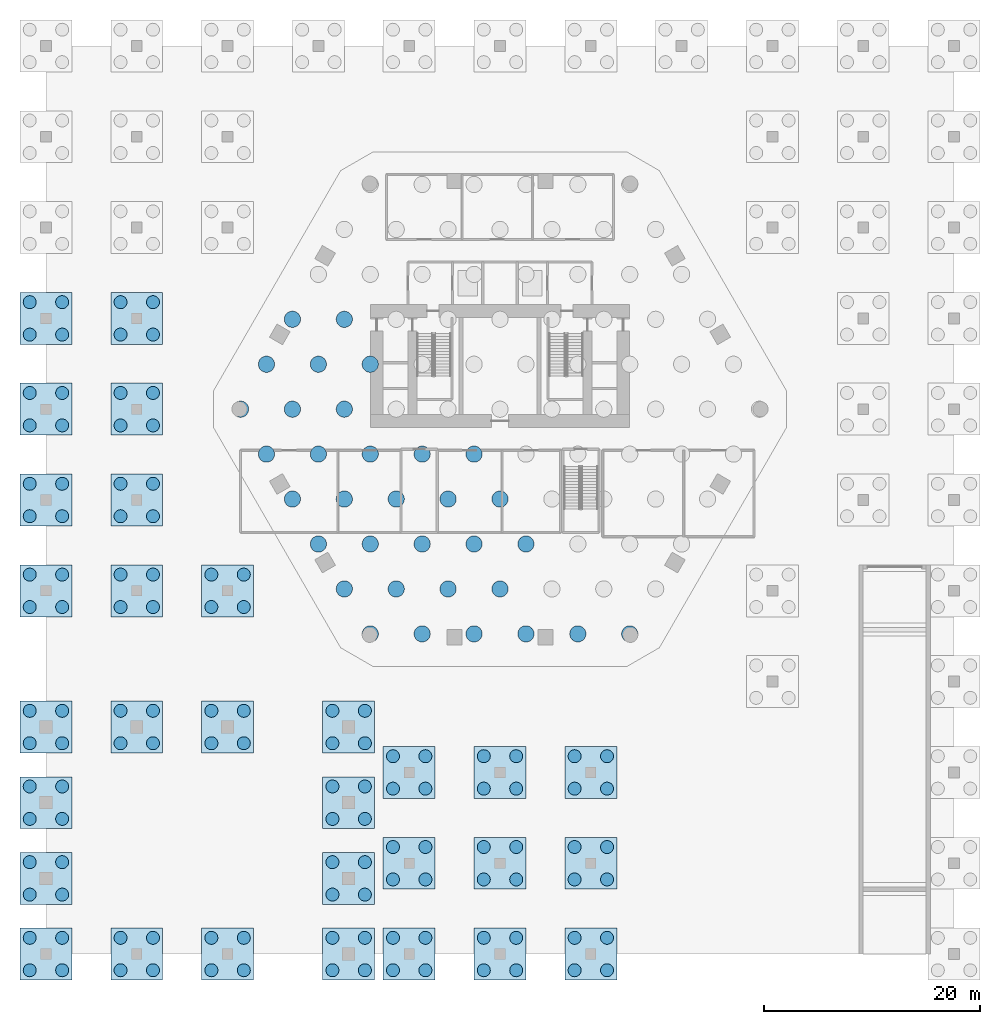
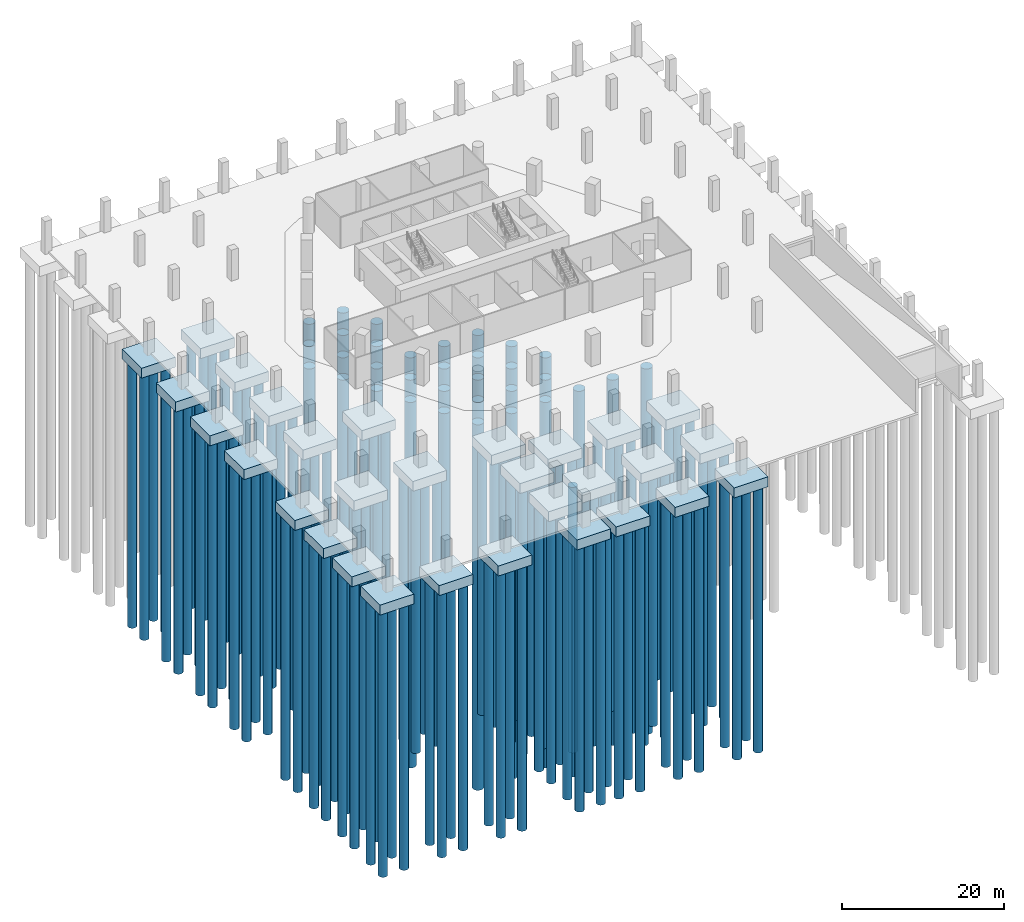
# One storey, part 1 of 7: 153 piles, 30 footings.
"""IFC4 building model written with IfcOpenShell, lengths in metres."""

import ifcopenshell
import ifcopenshell.guid

model = None  # the IFC model being written
_history = None  # IfcOwnerHistory: only IFC2X3 demands one
_inside = {}  # id of a spatial element -> (the spatial element, [elements in it])
_under = {}  # id of a project, library or spatial element -> (it, [spatial elements below it])
_declared = {}  # id of a project -> (the project, [libraries it declares])
_typed = {}  # id of a type object -> (the type object, [elements of that type])
_made_of = {}  # id of a material, layer set ... -> (it, [elements and type objects made of it])


def new_model(schema):
    """Start an empty IFC model of exactly this schema.

    Asked for "IFC4X3", IfcOpenShell would pick the latest addendum, in which some entities
    have other attributes; the version numbers below select the first issue.
    IFC2X3 requires an IfcOwnerHistory on every rooted entity: one is made here for all.
    """
    global model, _history
    if schema == "IFC4X3":
        model = ifcopenshell.file(schema_version=(4, 3, 0, 0))
    else:
        model = ifcopenshell.file(schema=schema)
    _inside.clear()
    _under.clear()
    _declared.clear()
    _typed.clear()
    _made_of.clear()
    _history = None
    if model.schema == "IFC2X3":
        org = make("IfcOrganization", Name="unknown")
        user = make(
            "IfcPersonAndOrganization",
            ThePerson=make("IfcPerson", FamilyName="unknown"),
            TheOrganization=org,
        )
        app = make(
            "IfcApplication",
            ApplicationDeveloper=org,
            Version="unknown",
            ApplicationFullName="unknown",
            ApplicationIdentifier="unknown",
        )
        _history = make(
            "IfcOwnerHistory",
            OwningUser=user,
            OwningApplication=app,
            ChangeAction="ADDED",
            CreationDate=0,
        )
    return model


def make(cls, **values):
    """One entity of the class cls with the attributes given. An attribute that is None is left unset."""
    return model.create_entity(
        cls, **{name: value for name, value in values.items() if value is not None}
    )


def rooted(cls, **values):
    """An entity with a GlobalId (a new one), such as an element, a storey or a relation."""
    return make(cls, GlobalId=ifcopenshell.guid.new(), OwnerHistory=_history, **values)


def si_unit(unit_type, name, prefix=None):
    """IfcSIUnit, for example si_unit("LENGTHUNIT", "METRE", prefix="MILLI")."""
    return make("IfcSIUnit", UnitType=unit_type, Prefix=prefix, Name=name)


def assignment(units):
    """IfcUnitAssignment: the units of a project."""
    return None if units is None else make("IfcUnitAssignment", Units=units)


def point(xyz):
    """IfcCartesianPoint."""
    return None if xyz is None else make("IfcCartesianPoint", Coordinates=xyz)


def direction(xyz):
    """IfcDirection."""
    return None if xyz is None else make("IfcDirection", DirectionRatios=xyz)


def frame(location, z_axis=None, x_axis=None):
    """IfcAxis2Placement3D, a coordinate frame: its origin and axes. An axis left out is left unset."""
    return make(
        "IfcAxis2Placement3D",
        Location=point(location),
        Axis=direction(z_axis),
        RefDirection=direction(x_axis),
    )


def frame_2d(location, x_axis=None):
    """IfcAxis2Placement2D, a coordinate frame in the plane: its origin and x axis."""
    return make(
        "IfcAxis2Placement2D", Location=point(location), RefDirection=direction(x_axis)
    )


def origin():
    """The frame at (0, 0, 0) with its axes left unset."""
    return frame((0.0, 0.0, 0.0))


def origin_2d():
    """The frame at (0, 0) in the plane with its x axis left unset."""
    return frame_2d((0.0, 0.0))


def place(relative_to, where):
    """IfcLocalPlacement: puts the frame where relative to a parent placement (None: the world)."""
    return make(
        "IfcLocalPlacement", PlacementRelTo=relative_to, RelativePlacement=where
    )


def context(
    kind, dimensions, precision=None, world=None, true_north=None, identifier=None
):
    """IfcGeometricRepresentationContext, for example the 3D "Model" context."""
    return make(
        "IfcGeometricRepresentationContext",
        ContextIdentifier=identifier,
        ContextType=kind,
        CoordinateSpaceDimension=dimensions,
        Precision=precision,
        WorldCoordinateSystem=world,
        TrueNorth=true_north,
    )


def subcontext(parent, identifier, kind, view, scale=None):
    """IfcGeometricRepresentationSubContext, for example "Body" below "Model"."""
    return make(
        "IfcGeometricRepresentationSubContext",
        ContextIdentifier=identifier,
        ContextType=kind,
        ParentContext=parent,
        TargetScale=scale,
        TargetView=view,
    )


def project(units=None, contexts=None):
    """IfcProject with its units and contexts."""
    return rooted(
        "IfcProject",
        Name="project",
        RepresentationContexts=contexts,
        UnitsInContext=assignment(units),
    )


def spatial(cls, under=None, at=None, **own):
    """A site, building, storey or space (cls), placed at a placement, below another one or the project."""
    s = rooted(cls, ObjectPlacement=at, **own)
    if under is not None:
        _under.setdefault(under.id(), (under, []))[1].append(s)
    return s


def polyline(points):
    """IfcPolyline through the points."""
    return make("IfcPolyline", Points=[point(p) for p in points])


def profile(cls, at=None, kind="AREA", **sizes):
    """A parametric profile (cls). Its sizes go by their IFC names, for example OverallWidth=200.0."""
    return make(cls, ProfileType=kind, Position=at, **sizes)


def circle(**sizes):
    """IfcCircleProfileDef."""
    return profile("IfcCircleProfileDef", **sizes)


def outline(outer, holes=None, kind="AREA"):
    """IfcArbitraryClosedProfileDef: a profile drawn as a closed curve; with holes, ...WithVoids."""
    if holes is None:
        return make("IfcArbitraryClosedProfileDef", ProfileType=kind, OuterCurve=outer)
    return make(
        "IfcArbitraryProfileDefWithVoids",
        ProfileType=kind,
        OuterCurve=outer,
        InnerCurves=holes,
    )


def extrude(swept, where, along, depth):
    """IfcExtrudedAreaSolid: the profile swept, set in the frame where, extruded along a direction by depth."""
    return make(
        "IfcExtrudedAreaSolid",
        SweptArea=swept,
        Position=where,
        ExtrudedDirection=direction(along),
        Depth=depth,
    )


def shape(context_of_items, identifier, shape_type, items):
    """IfcShapeRepresentation: the items that make up one representation, for example the "Body"."""
    return make(
        "IfcShapeRepresentation",
        ContextOfItems=context_of_items,
        RepresentationIdentifier=identifier,
        RepresentationType=shape_type,
        Items=items,
    )


def material(Name=None, Category=None):
    """IfcMaterial."""
    return make("IfcMaterial", Name=Name, Category=Category)


def material_profile(
    of_material, cross_section, Name=None, Category=None, Priority=None
):
    """IfcMaterialProfile: a cross section and its material."""
    return make(
        "IfcMaterialProfile",
        Name=Name,
        Material=of_material,
        Profile=cross_section,
        Priority=Priority,
        Category=Category,
    )


def profile_set(profiles, Name=None, composite=None):
    """IfcMaterialProfileSet."""
    return make(
        "IfcMaterialProfileSet",
        Name=Name,
        MaterialProfiles=profiles,
        CompositeProfile=composite,
    )


def made_of(thing, what):
    """Note that an element or type object is made of a material, layer set ...; save() writes the relation."""
    if what is not None:
        _made_of.setdefault(what.id(), (what, []))[1].append(thing)
    return thing


def type_object(cls, material=None, **own):
    """A type object (cls), such as IfcWallType, which elements share."""
    return made_of(rooted(cls, **own), material)


def element(
    cls,
    number,
    at=None,
    inside=None,
    cuts=None,
    type_object=None,
    material=None,
    context=None,
    identifier="Body",
    shape_type=None,
    held_by="IfcProductDefinitionShape",
    body=None,
    shapes=None,
    **own,
):
    """One element of the class cls, such as IfcWall. Its Tag is "e" and its number.

    at: its placement. inside: the storey or other place that contains it. cuts: it is an
    opening in that element (IfcRelVoidsElement). A single representation is given by context,
    identifier, shape_type and body (its items); several are given by shapes. held_by: the class
    of the entity that holds the representations. save() writes the other relations.
    """
    e = rooted(cls, Tag="e%d" % number, ObjectPlacement=at, **own)
    if body is not None:
        shapes = [shape(context, identifier, shape_type, body)]
    if shapes is not None:
        e.Representation = make(held_by, Representations=shapes)
    if inside is not None:
        _inside.setdefault(inside.id(), (inside, []))[1].append(e)
    if cuts is not None:
        rooted(
            "IfcRelVoidsElement", RelatingBuildingElement=cuts, RelatedOpeningElement=e
        )
    if type_object is not None:
        _typed.setdefault(type_object.id(), (type_object, []))[1].append(e)
    return made_of(e, material)


def aggregate(whole, parts):
    """IfcRelAggregates: a whole, such as a stair, and the parts it consists of."""
    return rooted("IfcRelAggregates", RelatingObject=whole, RelatedObjects=parts)


def save(model, path):
    """Write the relations noted so far, then the file.

    IfcRelAggregates (storeys below a building ...), IfcRelContainedInSpatialStructure (elements
    in a storey), IfcRelDefinesByType, IfcRelAssociatesMaterial and IfcRelDeclares: one each for
    every whole, place, type object, material and project.
    """
    for whole, parts in _under.values():
        aggregate(whole, parts)
    for where, things in _inside.values():
        rooted(
            "IfcRelContainedInSpatialStructure",
            RelatedElements=things,
            RelatingStructure=where,
        )
    for kind, things in _typed.values():
        rooted("IfcRelDefinesByType", RelatedObjects=things, RelatingType=kind)
    for what, things in _made_of.values():
        rooted("IfcRelAssociatesMaterial", RelatedObjects=things, RelatingMaterial=what)
    for by, libraries in _declared.values():
        rooted("IfcRelDeclares", RelatingContext=by, RelatedDefinitions=libraries)
    model.write(path)


model = new_model("IFC4")

# Units and contexts
model_context = context("Model", 3, precision=1e-05, world=origin(), true_north=direction((0.0, 1.0)))
body_context = subcontext(model_context, "Body", "Model", "MODEL_VIEW")
ifc_project = project(units=[si_unit("LENGTHUNIT", "METRE"), si_unit("AREAUNIT", "SQUARE_METRE"), si_unit("VOLUMEUNIT", "CUBIC_METRE"), si_unit("PLANEANGLEUNIT", "RADIAN"), si_unit("MASSUNIT", "GRAM", prefix="KILO")], contexts=[model_context])

# Site, building, storey
site_placement = place(None, origin())
site = spatial("IfcSite", under=ifc_project, at=site_placement, CompositionType="ELEMENT")
building_placement = place(site_placement, origin())
building = spatial("IfcBuilding", under=site, at=building_placement, Name="Ostrander Bayou Hotel Tower", CompositionType="ELEMENT")
storey_placement = place(building_placement, frame((0.0, 0.0, -5.0)))
storey = spatial("IfcBuildingStorey", under=building, at=storey_placement, Name="B1", CompositionType="ELEMENT", Elevation=-5.0)

# Piles
ifc_material_1 = material(Name="Concrete f'c 45 MPa", Category="concrete")
ifc_material_profile_1 = material_profile(ifc_material_1, circle(Radius=0.75, at=origin_2d()))
ifc_profile_set_1 = profile_set([ifc_material_profile_1], Name="Concrete f'c 45 MPa")
pile_type_1 = type_object("IfcPileType", Name="BP1 bored pile 1500 mm f'c 45 MPa", PredefinedType="BORED", material=ifc_profile_set_1)
for number, where, z_axis, x_axis, name in (
    (1, (-12.0, -20.784912109375, -3.39990234375), (0.0, 0.0, -1.0), (1.0, 0.0, 0.0), "BP1 pile R001"),
    (2, (-7.199951171875, -20.784912109375, -3.39990234375), (0.0, 0.0, -1.0), (1.0, 0.0, 0.0), "BP1 pile R002"),
    (3, (-2.39990234375, -20.784912109375, -3.39990234375), (0.0, 0.0, -1.0), (1.0, 0.0, 0.0), "BP1 pile R003"),
    (4, (2.39990234375, -20.784912109375, -3.39990234375), (0.0, 0.0, -1.0), (1.0, 0.0, 0.0), "BP1 pile R004"),
    (5, (7.199951171875, -20.784912109375, -3.39990234375), (0.0, 0.0, -1.0), (1.0, 0.0, 0.0), "BP1 pile R005"),
    (6, (12.0, -20.784912109375, -3.39990234375), (0.0, 0.0, -1.0), (1.0, 0.0, 0.0), "BP1 pile R006"),
    (7, (-14.39990234375, -16.6279296875, -3.39990234375), (0.0, 0.0, -1.0), (1.0, 0.0, 0.0), "BP1 pile R007"),
    (8, (-9.60009765625, -16.6279296875, -3.39990234375), (0.0, 0.0, -1.0), (1.0, 0.0, 0.0), "BP1 pile R008"),
    (9, (-4.800048828125, -16.6279296875, -3.39990234375), (0.0, 0.0, -1.0), (1.0, 0.0, 0.0), "BP1 pile R009"),
    (10, (0.0, -16.6279296875, -3.39990234375), (0.0, 0.0, -1.0), (1.0, 0.0, 0.0), "BP1 pile R010"),
    (11, (-16.800048828125, -12.470947265625, -3.39990234375), (0.0, 0.0, -1.0), (1.0, 0.0, 0.0), "BP1 pile R014"),
    (12, (-12.0, -12.470947265625, -3.39990234375), (0.0, 0.0, -1.0), (1.0, 0.0, 0.0), "BP1 pile R015"),
    (13, (-7.199951171875, -12.470947265625, -3.39990234375), (0.0, 0.0, -1.0), (1.0, 0.0, 0.0), "BP1 pile R016"),
    (14, (-2.39990234375, -12.470947265625, -3.39990234375), (0.0, 0.0, -1.0), (1.0, 0.0, 0.0), "BP1 pile R017"),
    (15, (2.39990234375, -12.470947265625, -3.39990234375), (0.0, 0.0, -1.0), (1.0, 0.0, 0.0), "BP1 pile R018"),
    (16, (-19.199951171875, -8.31396484375, -3.39990234375), (0.0, 0.0, -1.0), (1.0, 0.0, 0.0), "BP1 pile R022"),
    (17, (-14.39990234375, -8.31396484375, -3.39990234375), (0.0, 0.0, -1.0), (1.0, 0.0, 0.0), "BP1 pile R023"),
    (18, (-9.60009765625, -8.31396484375, -3.39990234375), (0.0, 0.0, -1.0), (1.0, 0.0, 0.0), "BP1 pile R024"),
    (19, (-4.800048828125, -8.31396484375, -3.39990234375), (0.0, 0.0, -1.0), (1.0, 0.0, 0.0), "BP1 pile R025"),
    (20, (0.0, -8.31396484375, -3.39990234375), (0.0, 0.0, -1.0), (1.0, 0.0, 0.0), "BP1 pile R026"),
    (21, (-21.60009765625, -4.156982421875, -3.39990234375), (0.0, 0.0, -1.0), (1.0, 0.0, 0.0), "BP1 pile R031"),
    (22, (-16.800048828125, -4.156982421875, -3.39990234375), (0.0, 0.0, -1.0), (1.0, 0.0, 0.0), "BP1 pile R032"),
    (23, (-12.0, -4.156982421875, -3.39990234375), (0.0, 0.0, -1.0), (1.0, 0.0, 0.0), "BP1 pile R033"),
    (24, (-7.199951171875, -4.156982421875, -3.39990234375), (0.0, 0.0, -1.0), (1.0, 0.0, 0.0), "BP1 pile R034"),
    (25, (-2.39990234375, -4.156982421875, -3.39990234375), (0.0, 0.0, -1.0), (1.0, 0.0, 0.0), "BP1 pile R035"),
    (26, (-24.0, 0.0, -3.39990234375), (0.0, 0.0, -1.0), (1.0, 0.0, 0.0), "BP1 pile R041"),
    (27, (-19.199951171875, 0.0, -3.39990234375), (0.0, 0.0, -1.0), (1.0, 0.0, 0.0), "BP1 pile R042"),
    (28, (-14.39990234375, 0.0, -3.39990234375), (0.0, 0.0, -1.0), (1.0, 0.0, 0.0), "BP1 pile R043"),
    (29, (-21.60009765625, 4.156982421875, -3.39990234375), (0.0, 0.0, -1.0), (1.0, 0.0, 0.0), "BP1 pile R052"),
    (30, (-16.800048828125, 4.156982421875, -3.39990234375), (0.0, 0.0, -1.0), (1.0, 0.0, 0.0), "BP1 pile R053"),
    (31, (-12.0, 4.156982421875, -3.39990234375), (0.0, 0.0, -1.0), (1.0, 0.0, 0.0), "BP1 pile R054"),
    (32, (-19.199951171875, 8.31396484375, -3.39990234375), (0.0, 0.0, -1.0), (1.0, 0.0, 0.0), "BP1 pile R062"),
    (33, (-14.39990234375, 8.31396484375, -3.39990234375), (0.0, 0.0, -1.0), (1.0, 0.0, 0.0), "BP1 pile R063"),
):
    element("IfcPile", number, at=place(storey_placement, frame(where, z_axis=z_axis, x_axis=x_axis)), inside=storey, type_object=pile_type_1, Name=name, PredefinedType="BORED", context=body_context, shape_type="SweptSolid", body=[
        extrude(circle(Radius=0.75, at=origin_2d()), origin(), (0.0, 0.0, 1.0), 55.0),
    ])
ifc_material_2 = material(Name="Concrete f'c 45 MPa", Category="concrete")
ifc_material_profile_2 = material_profile(ifc_material_2, circle(Radius=0.60009765625, at=origin_2d()))
ifc_profile_set_2 = profile_set([ifc_material_profile_2], Name="Concrete f'c 45 MPa")
pile_type_2 = type_object("IfcPileType", Name="BP2 bored pile 1200 mm f'c 45 MPa", PredefinedType="BORED", material=ifc_profile_set_2)
for number, where, z_axis, x_axis, name in (
    (34, (-43.5, -51.89990234375, -1.699951171875), (0.0, 0.0, -1.0), (1.0, 0.0, 0.0), "BP2 pile 1A-1"),
    (35, (-40.5, -51.89990234375, -1.699951171875), (0.0, 0.0, -1.0), (1.0, 0.0, 0.0), "BP2 pile 1A-2"),
    (36, (-40.5, -48.89990234375, -1.699951171875), (0.0, 0.0, -1.0), (1.0, 0.0, 0.0), "BP2 pile 1A-3"),
    (37, (-43.5, -48.89990234375, -1.699951171875), (0.0, 0.0, -1.0), (1.0, 0.0, 0.0), "BP2 pile 1A-4"),
    (38, (-43.5, -18.300048828125, -1.699951171875), (0.0, 0.0, -1.0), (1.0, 0.0, 0.0), "BP2 pile 1E-1"),
    (39, (-40.5, -18.300048828125, -1.699951171875), (0.0, 0.0, -1.0), (1.0, 0.0, 0.0), "BP2 pile 1E-2"),
    (40, (-40.5, -15.300048828125, -1.699951171875), (0.0, 0.0, -1.0), (1.0, 0.0, 0.0), "BP2 pile 1E-3"),
    (41, (-43.5, -15.300048828125, -1.699951171875), (0.0, 0.0, -1.0), (1.0, 0.0, 0.0), "BP2 pile 1E-4"),
    (42, (-43.5, -9.89990234375, -1.699951171875), (0.0, 0.0, -1.0), (1.0, 0.0, 0.0), "BP2 pile 1F-1"),
    (43, (-40.5, -9.89990234375, -1.699951171875), (0.0, 0.0, -1.0), (1.0, 0.0, 0.0), "BP2 pile 1F-2"),
    (44, (-40.5, -6.89990234375, -1.699951171875), (0.0, 0.0, -1.0), (1.0, 0.0, 0.0), "BP2 pile 1F-3"),
    (45, (-43.5, -6.89990234375, -1.699951171875), (0.0, 0.0, -1.0), (1.0, 0.0, 0.0), "BP2 pile 1F-4"),
    (46, (-43.5, -1.5, -1.699951171875), (0.0, 0.0, -1.0), (1.0, 0.0, 0.0), "BP2 pile 1G-1"),
    (47, (-40.5, -1.5, -1.699951171875), (0.0, 0.0, -1.0), (1.0, 0.0, 0.0), "BP2 pile 1G-2"),
    (48, (-40.5, 1.5, -1.699951171875), (0.0, 0.0, -1.0), (1.0, 0.0, 0.0), "BP2 pile 1G-3"),
    (49, (-43.5, 1.5, -1.699951171875), (0.0, 0.0, -1.0), (1.0, 0.0, 0.0), "BP2 pile 1G-4"),
    (50, (-43.5, 6.89990234375, -1.699951171875), (0.0, 0.0, -1.0), (1.0, 0.0, 0.0), "BP2 pile 1H-1"),
    (51, (-40.5, 6.89990234375, -1.699951171875), (0.0, 0.0, -1.0), (1.0, 0.0, 0.0), "BP2 pile 1H-2"),
    (52, (-40.5, 9.89990234375, -1.699951171875), (0.0, 0.0, -1.0), (1.0, 0.0, 0.0), "BP2 pile 1H-3"),
    (53, (-43.5, 9.89990234375, -1.699951171875), (0.0, 0.0, -1.0), (1.0, 0.0, 0.0), "BP2 pile 1H-4"),
    (54, (-35.10009765625, -51.89990234375, -1.699951171875), (0.0, 0.0, -1.0), (1.0, 0.0, 0.0), "BP2 pile 2A-1"),
    (55, (-32.10009765625, -51.89990234375, -1.699951171875), (0.0, 0.0, -1.0), (1.0, 0.0, 0.0), "BP2 pile 2A-2"),
    (56, (-32.10009765625, -48.89990234375, -1.699951171875), (0.0, 0.0, -1.0), (1.0, 0.0, 0.0), "BP2 pile 2A-3"),
    (57, (-35.10009765625, -48.89990234375, -1.699951171875), (0.0, 0.0, -1.0), (1.0, 0.0, 0.0), "BP2 pile 2A-4"),
    (58, (-35.10009765625, -18.300048828125, -1.699951171875), (0.0, 0.0, -1.0), (1.0, 0.0, 0.0), "BP2 pile 2E-1"),
    (59, (-32.10009765625, -18.300048828125, -1.699951171875), (0.0, 0.0, -1.0), (1.0, 0.0, 0.0), "BP2 pile 2E-2"),
    (60, (-32.10009765625, -15.300048828125, -1.699951171875), (0.0, 0.0, -1.0), (1.0, 0.0, 0.0), "BP2 pile 2E-3"),
    (61, (-35.10009765625, -15.300048828125, -1.699951171875), (0.0, 0.0, -1.0), (1.0, 0.0, 0.0), "BP2 pile 2E-4"),
    (62, (-35.10009765625, -9.89990234375, -1.699951171875), (0.0, 0.0, -1.0), (1.0, 0.0, 0.0), "BP2 pile 2F-1"),
    (63, (-32.10009765625, -9.89990234375, -1.699951171875), (0.0, 0.0, -1.0), (1.0, 0.0, 0.0), "BP2 pile 2F-2"),
    (64, (-32.10009765625, -6.89990234375, -1.699951171875), (0.0, 0.0, -1.0), (1.0, 0.0, 0.0), "BP2 pile 2F-3"),
    (65, (-35.10009765625, -6.89990234375, -1.699951171875), (0.0, 0.0, -1.0), (1.0, 0.0, 0.0), "BP2 pile 2F-4"),
    (66, (-35.10009765625, -1.5, -1.699951171875), (0.0, 0.0, -1.0), (1.0, 0.0, 0.0), "BP2 pile 2G-1"),
    (67, (-32.10009765625, -1.5, -1.699951171875), (0.0, 0.0, -1.0), (1.0, 0.0, 0.0), "BP2 pile 2G-2"),
    (68, (-32.10009765625, 1.5, -1.699951171875), (0.0, 0.0, -1.0), (1.0, 0.0, 0.0), "BP2 pile 2G-3"),
    (69, (-35.10009765625, 1.5, -1.699951171875), (0.0, 0.0, -1.0), (1.0, 0.0, 0.0), "BP2 pile 2G-4"),
    (70, (-35.10009765625, 6.89990234375, -1.699951171875), (0.0, 0.0, -1.0), (1.0, 0.0, 0.0), "BP2 pile 2H-1"),
    (71, (-32.10009765625, 6.89990234375, -1.699951171875), (0.0, 0.0, -1.0), (1.0, 0.0, 0.0), "BP2 pile 2H-2"),
    (72, (-32.10009765625, 9.89990234375, -1.699951171875), (0.0, 0.0, -1.0), (1.0, 0.0, 0.0), "BP2 pile 2H-3"),
    (73, (-35.10009765625, 9.89990234375, -1.699951171875), (0.0, 0.0, -1.0), (1.0, 0.0, 0.0), "BP2 pile 2H-4"),
    (74, (-26.699951171875, -51.89990234375, -1.699951171875), (0.0, 0.0, -1.0), (1.0, 0.0, 0.0), "BP2 pile 3A-1"),
    (75, (-23.699951171875, -51.89990234375, -1.699951171875), (0.0, 0.0, -1.0), (1.0, 0.0, 0.0), "BP2 pile 3A-2"),
    (76, (-23.699951171875, -48.89990234375, -1.699951171875), (0.0, 0.0, -1.0), (1.0, 0.0, 0.0), "BP2 pile 3A-3"),
    (77, (-26.699951171875, -48.89990234375, -1.699951171875), (0.0, 0.0, -1.0), (1.0, 0.0, 0.0), "BP2 pile 3A-4"),
    (78, (-26.699951171875, -18.300048828125, -1.699951171875), (0.0, 0.0, -1.0), (1.0, 0.0, 0.0), "BP2 pile 3E-1"),
    (79, (-23.699951171875, -18.300048828125, -1.699951171875), (0.0, 0.0, -1.0), (1.0, 0.0, 0.0), "BP2 pile 3E-2"),
    (80, (-23.699951171875, -15.300048828125, -1.699951171875), (0.0, 0.0, -1.0), (1.0, 0.0, 0.0), "BP2 pile 3E-3"),
    (81, (-26.699951171875, -15.300048828125, -1.699951171875), (0.0, 0.0, -1.0), (1.0, 0.0, 0.0), "BP2 pile 3E-4"),
    (82, (-9.89990234375, -51.89990234375, -1.699951171875), (0.0, 0.0, -1.0), (1.0, 0.0, 0.0), "BP2 pile 5A-1"),
    (83, (-6.89990234375, -51.89990234375, -1.699951171875), (0.0, 0.0, -1.0), (1.0, 0.0, 0.0), "BP2 pile 5A-2"),
    (84, (-6.89990234375, -48.89990234375, -1.699951171875), (0.0, 0.0, -1.0), (1.0, 0.0, 0.0), "BP2 pile 5A-3"),
    (85, (-9.89990234375, -48.89990234375, -1.699951171875), (0.0, 0.0, -1.0), (1.0, 0.0, 0.0), "BP2 pile 5A-4"),
    (86, (-9.89990234375, -43.5, -1.699951171875), (0.0, 0.0, -1.0), (1.0, 0.0, 0.0), "BP2 pile 5B-1"),
    (87, (-6.89990234375, -43.5, -1.699951171875), (0.0, 0.0, -1.0), (1.0, 0.0, 0.0), "BP2 pile 5B-2"),
    (88, (-6.89990234375, -40.5, -1.699951171875), (0.0, 0.0, -1.0), (1.0, 0.0, 0.0), "BP2 pile 5B-3"),
    (89, (-9.89990234375, -40.5, -1.699951171875), (0.0, 0.0, -1.0), (1.0, 0.0, 0.0), "BP2 pile 5B-4"),
    (90, (-9.89990234375, -35.10009765625, -1.699951171875), (0.0, 0.0, -1.0), (1.0, 0.0, 0.0), "BP2 pile 5C-1"),
    (91, (-6.89990234375, -35.10009765625, -1.699951171875), (0.0, 0.0, -1.0), (1.0, 0.0, 0.0), "BP2 pile 5C-2"),
    (92, (-6.89990234375, -32.10009765625, -1.699951171875), (0.0, 0.0, -1.0), (1.0, 0.0, 0.0), "BP2 pile 5C-3"),
    (93, (-9.89990234375, -32.10009765625, -1.699951171875), (0.0, 0.0, -1.0), (1.0, 0.0, 0.0), "BP2 pile 5C-4"),
    (94, (-1.5, -51.89990234375, -1.699951171875), (0.0, 0.0, -1.0), (1.0, 0.0, 0.0), "BP2 pile 6A-1"),
    (95, (1.5, -51.89990234375, -1.699951171875), (0.0, 0.0, -1.0), (1.0, 0.0, 0.0), "BP2 pile 6A-2"),
    (96, (1.5, -48.89990234375, -1.699951171875), (0.0, 0.0, -1.0), (1.0, 0.0, 0.0), "BP2 pile 6A-3"),
    (97, (-1.5, -48.89990234375, -1.699951171875), (0.0, 0.0, -1.0), (1.0, 0.0, 0.0), "BP2 pile 6A-4"),
    (98, (-1.5, -43.5, -1.699951171875), (0.0, 0.0, -1.0), (1.0, 0.0, 0.0), "BP2 pile 6B-1"),
    (99, (1.5, -43.5, -1.699951171875), (0.0, 0.0, -1.0), (1.0, 0.0, 0.0), "BP2 pile 6B-2"),
    (100, (1.5, -40.5, -1.699951171875), (0.0, 0.0, -1.0), (1.0, 0.0, 0.0), "BP2 pile 6B-3"),
    (101, (-1.5, -40.5, -1.699951171875), (0.0, 0.0, -1.0), (1.0, 0.0, 0.0), "BP2 pile 6B-4"),
    (102, (-1.5, -35.10009765625, -1.699951171875), (0.0, 0.0, -1.0), (1.0, 0.0, 0.0), "BP2 pile 6C-1"),
    (103, (1.5, -35.10009765625, -1.699951171875), (0.0, 0.0, -1.0), (1.0, 0.0, 0.0), "BP2 pile 6C-2"),
    (104, (1.5, -32.10009765625, -1.699951171875), (0.0, 0.0, -1.0), (1.0, 0.0, 0.0), "BP2 pile 6C-3"),
    (105, (-1.5, -32.10009765625, -1.699951171875), (0.0, 0.0, -1.0), (1.0, 0.0, 0.0), "BP2 pile 6C-4"),
    (106, (6.89990234375, -51.89990234375, -1.699951171875), (0.0, 0.0, -1.0), (1.0, 0.0, 0.0), "BP2 pile 7A-1"),
    (107, (9.89990234375, -51.89990234375, -1.699951171875), (0.0, 0.0, -1.0), (1.0, 0.0, 0.0), "BP2 pile 7A-2"),
    (108, (9.89990234375, -48.89990234375, -1.699951171875), (0.0, 0.0, -1.0), (1.0, 0.0, 0.0), "BP2 pile 7A-3"),
    (109, (6.89990234375, -48.89990234375, -1.699951171875), (0.0, 0.0, -1.0), (1.0, 0.0, 0.0), "BP2 pile 7A-4"),
    (110, (6.89990234375, -43.5, -1.699951171875), (0.0, 0.0, -1.0), (1.0, 0.0, 0.0), "BP2 pile 7B-1"),
    (111, (9.89990234375, -43.5, -1.699951171875), (0.0, 0.0, -1.0), (1.0, 0.0, 0.0), "BP2 pile 7B-2"),
    (112, (9.89990234375, -40.5, -1.699951171875), (0.0, 0.0, -1.0), (1.0, 0.0, 0.0), "BP2 pile 7B-3"),
    (113, (6.89990234375, -40.5, -1.699951171875), (0.0, 0.0, -1.0), (1.0, 0.0, 0.0), "BP2 pile 7B-4"),
    (114, (6.89990234375, -35.10009765625, -1.699951171875), (0.0, 0.0, -1.0), (1.0, 0.0, 0.0), "BP2 pile 7C-1"),
    (115, (9.89990234375, -35.10009765625, -1.699951171875), (0.0, 0.0, -1.0), (1.0, 0.0, 0.0), "BP2 pile 7C-2"),
    (116, (9.89990234375, -32.10009765625, -1.699951171875), (0.0, 0.0, -1.0), (1.0, 0.0, 0.0), "BP2 pile 7C-3"),
    (117, (6.89990234375, -32.10009765625, -1.699951171875), (0.0, 0.0, -1.0), (1.0, 0.0, 0.0), "BP2 pile 7C-4"),
    (118, (-15.5, -44.89990234375, -1.699951171875), (0.0, 0.0, -1.0), (1.0, 0.0, 0.0), "BP2 pile BR1-1"),
    (119, (-12.5, -44.89990234375, -1.699951171875), (0.0, 0.0, -1.0), (1.0, 0.0, 0.0), "BP2 pile BR1-2"),
    (120, (-12.5, -41.89990234375, -1.699951171875), (0.0, 0.0, -1.0), (1.0, 0.0, 0.0), "BP2 pile BR1-3"),
    (121, (-15.5, -41.89990234375, -1.699951171875), (0.0, 0.0, -1.0), (1.0, 0.0, 0.0), "BP2 pile BR1-4"),
    (122, (-43.5, -44.89990234375, -1.699951171875), (0.0, 0.0, -1.0), (1.0, 0.0, 0.0), "BP2 pile BW1-1"),
    (123, (-40.5, -44.89990234375, -1.699951171875), (0.0, 0.0, -1.0), (1.0, 0.0, 0.0), "BP2 pile BW1-2"),
    (124, (-40.5, -41.89990234375, -1.699951171875), (0.0, 0.0, -1.0), (1.0, 0.0, 0.0), "BP2 pile BW1-3"),
    (125, (-43.5, -41.89990234375, -1.699951171875), (0.0, 0.0, -1.0), (1.0, 0.0, 0.0), "BP2 pile BW1-4"),
    (126, (-15.5, -37.89990234375, -1.699951171875), (0.0, 0.0, -1.0), (1.0, 0.0, 0.0), "BP2 pile BR2-1"),
    (127, (-12.5, -37.89990234375, -1.699951171875), (0.0, 0.0, -1.0), (1.0, 0.0, 0.0), "BP2 pile BR2-2"),
    (128, (-12.5, -34.89990234375, -1.699951171875), (0.0, 0.0, -1.0), (1.0, 0.0, 0.0), "BP2 pile BR2-3"),
    (129, (-15.5, -34.89990234375, -1.699951171875), (0.0, 0.0, -1.0), (1.0, 0.0, 0.0), "BP2 pile BR2-4"),
    (130, (-43.5, -37.89990234375, -1.699951171875), (0.0, 0.0, -1.0), (1.0, 0.0, 0.0), "BP2 pile BW2-1"),
    (131, (-40.5, -37.89990234375, -1.699951171875), (0.0, 0.0, -1.0), (1.0, 0.0, 0.0), "BP2 pile BW2-2"),
    (132, (-40.5, -34.89990234375, -1.699951171875), (0.0, 0.0, -1.0), (1.0, 0.0, 0.0), "BP2 pile BW2-3"),
    (133, (-43.5, -34.89990234375, -1.699951171875), (0.0, 0.0, -1.0), (1.0, 0.0, 0.0), "BP2 pile BW2-4"),
    (134, (-15.5, -51.89990234375, -1.699951171875), (0.0, 0.0, -1.0), (1.0, 0.0, 0.0), "BP2 pile BR0-1"),
    (135, (-12.5, -51.89990234375, -1.699951171875), (0.0, 0.0, -1.0), (1.0, 0.0, 0.0), "BP2 pile BR0-2"),
    (136, (-12.5, -48.89990234375, -1.699951171875), (0.0, 0.0, -1.0), (1.0, 0.0, 0.0), "BP2 pile BR0-3"),
    (137, (-15.5, -48.89990234375, -1.699951171875), (0.0, 0.0, -1.0), (1.0, 0.0, 0.0), "BP2 pile BR0-4"),
    (138, (-15.5, -30.89990234375, -1.699951171875), (0.0, 0.0, -1.0), (1.0, 0.0, 0.0), "BP2 pile BR3-1"),
    (139, (-12.5, -30.89990234375, -1.699951171875), (0.0, 0.0, -1.0), (1.0, 0.0, 0.0), "BP2 pile BR3-2"),
    (140, (-12.5, -27.89990234375, -1.699951171875), (0.0, 0.0, -1.0), (1.0, 0.0, 0.0), "BP2 pile BR3-3"),
    (141, (-15.5, -27.89990234375, -1.699951171875), (0.0, 0.0, -1.0), (1.0, 0.0, 0.0), "BP2 pile BR3-4"),
    (142, (-43.5, -30.89990234375, -1.699951171875), (0.0, 0.0, -1.0), (1.0, 0.0, 0.0), "BP2 pile BE1-1"),
    (143, (-40.5, -30.89990234375, -1.699951171875), (0.0, 0.0, -1.0), (1.0, 0.0, 0.0), "BP2 pile BE1-2"),
    (144, (-40.5, -27.89990234375, -1.699951171875), (0.0, 0.0, -1.0), (1.0, 0.0, 0.0), "BP2 pile BE1-3"),
    (145, (-43.5, -27.89990234375, -1.699951171875), (0.0, 0.0, -1.0), (1.0, 0.0, 0.0), "BP2 pile BE1-4"),
    (146, (-35.10009765625, -30.89990234375, -1.699951171875), (0.0, 0.0, -1.0), (1.0, 0.0, 0.0), "BP2 pile BE2-1"),
    (147, (-32.10009765625, -30.89990234375, -1.699951171875), (0.0, 0.0, -1.0), (1.0, 0.0, 0.0), "BP2 pile BE2-2"),
    (148, (-32.10009765625, -27.89990234375, -1.699951171875), (0.0, 0.0, -1.0), (1.0, 0.0, 0.0), "BP2 pile BE2-3"),
    (149, (-35.10009765625, -27.89990234375, -1.699951171875), (0.0, 0.0, -1.0), (1.0, 0.0, 0.0), "BP2 pile BE2-4"),
    (150, (-26.699951171875, -30.89990234375, -1.699951171875), (0.0, 0.0, -1.0), (1.0, 0.0, 0.0), "BP2 pile BE3-1"),
    (151, (-23.699951171875, -30.89990234375, -1.699951171875), (0.0, 0.0, -1.0), (1.0, 0.0, 0.0), "BP2 pile BE3-2"),
    (152, (-23.699951171875, -27.89990234375, -1.699951171875), (0.0, 0.0, -1.0), (1.0, 0.0, 0.0), "BP2 pile BE3-3"),
    (153, (-26.699951171875, -27.89990234375, -1.699951171875), (0.0, 0.0, -1.0), (1.0, 0.0, 0.0), "BP2 pile BE3-4"),
):
    element("IfcPile", number, at=place(storey_placement, frame(where, z_axis=z_axis, x_axis=x_axis)), inside=storey, type_object=pile_type_2, Name=name, PredefinedType="BORED", context=body_context, shape_type="SweptSolid", body=[
        extrude(circle(Radius=0.60009765625, at=origin_2d()), origin(), (0.0, 0.0, 1.0), 40.0),
    ])

# Footings
ifc_material_3 = material(Name="Concrete f'c 45 MPa", Category="concrete")
footing_type = type_object("IfcFootingType", Name="F2 pile cap 4800 x 4800 x 1500 mm f'c 45 MPa", PredefinedType="PILE_CAP", material=ifc_material_3)
footing_1_placement = place(storey_placement, frame((0.0, 0.0, -1.800048828125)))
element("IfcFooting", 154, at=footing_1_placement, inside=storey, type_object=footing_type, Name="F2 pile cap 1A", PredefinedType="PILE_CAP", context=body_context, shape_type="SweptSolid", body=[
    extrude(outline(polyline([(-39.60009765625, -52.800048828125), (-39.60009765625, -48.0), (-44.39990234375, -48.0), (-44.39990234375, -52.800048828125), (-39.60009765625, -52.800048828125)])), origin(), (0.0, 0.0, 1.0), 1.5),
])
footing_2_placement = place(storey_placement, frame((0.0, 0.0, -1.800048828125)))
element("IfcFooting", 155, at=footing_2_placement, inside=storey, type_object=footing_type, Name="F2 pile cap 1E", PredefinedType="PILE_CAP", context=body_context, shape_type="SweptSolid", body=[
    extrude(outline(polyline([(-39.60009765625, -19.199951171875), (-39.60009765625, -14.39990234375), (-44.39990234375, -14.39990234375), (-44.39990234375, -19.199951171875), (-39.60009765625, -19.199951171875)])), origin(), (0.0, 0.0, 1.0), 1.5),
])
footing_3_placement = place(storey_placement, frame((0.0, 0.0, -1.800048828125)))
element("IfcFooting", 156, at=footing_3_placement, inside=storey, type_object=footing_type, Name="F2 pile cap 1F", PredefinedType="PILE_CAP", context=body_context, shape_type="SweptSolid", body=[
    extrude(outline(polyline([(-39.60009765625, -10.800048828125), (-39.60009765625, -6.0), (-44.39990234375, -6.0), (-44.39990234375, -10.800048828125), (-39.60009765625, -10.800048828125)])), origin(), (0.0, 0.0, 1.0), 1.5),
])
footing_4_placement = place(storey_placement, frame((0.0, 0.0, -1.800048828125)))
element("IfcFooting", 157, at=footing_4_placement, inside=storey, type_object=footing_type, Name="F2 pile cap 1G", PredefinedType="PILE_CAP", context=body_context, shape_type="SweptSolid", body=[
    extrude(outline(polyline([(-39.60009765625, -2.39990234375), (-39.60009765625, 2.39990234375), (-44.39990234375, 2.39990234375), (-44.39990234375, -2.39990234375), (-39.60009765625, -2.39990234375)])), origin(), (0.0, 0.0, 1.0), 1.5),
])
footing_5_placement = place(storey_placement, frame((0.0, 0.0, -1.800048828125)))
element("IfcFooting", 158, at=footing_5_placement, inside=storey, type_object=footing_type, Name="F2 pile cap 1H", PredefinedType="PILE_CAP", context=body_context, shape_type="SweptSolid", body=[
    extrude(outline(polyline([(-39.60009765625, 6.0), (-39.60009765625, 10.800048828125), (-44.39990234375, 10.800048828125), (-44.39990234375, 6.0), (-39.60009765625, 6.0)])), origin(), (0.0, 0.0, 1.0), 1.5),
])
footing_6_placement = place(storey_placement, frame((0.0, 0.0, -1.800048828125)))
element("IfcFooting", 159, at=footing_6_placement, inside=storey, type_object=footing_type, Name="F2 pile cap 2A", PredefinedType="PILE_CAP", context=body_context, shape_type="SweptSolid", body=[
    extrude(outline(polyline([(-31.199951171875, -52.800048828125), (-31.199951171875, -48.0), (-36.0, -48.0), (-36.0, -52.800048828125), (-31.199951171875, -52.800048828125)])), origin(), (0.0, 0.0, 1.0), 1.5),
])
footing_7_placement = place(storey_placement, frame((0.0, 0.0, -1.800048828125)))
element("IfcFooting", 160, at=footing_7_placement, inside=storey, type_object=footing_type, Name="F2 pile cap 2E", PredefinedType="PILE_CAP", context=body_context, shape_type="SweptSolid", body=[
    extrude(outline(polyline([(-31.199951171875, -19.199951171875), (-31.199951171875, -14.39990234375), (-36.0, -14.39990234375), (-36.0, -19.199951171875), (-31.199951171875, -19.199951171875)])), origin(), (0.0, 0.0, 1.0), 1.5),
])
footing_8_placement = place(storey_placement, frame((0.0, 0.0, -1.800048828125)))
element("IfcFooting", 161, at=footing_8_placement, inside=storey, type_object=footing_type, Name="F2 pile cap 2F", PredefinedType="PILE_CAP", context=body_context, shape_type="SweptSolid", body=[
    extrude(outline(polyline([(-31.199951171875, -10.800048828125), (-31.199951171875, -6.0), (-36.0, -6.0), (-36.0, -10.800048828125), (-31.199951171875, -10.800048828125)])), origin(), (0.0, 0.0, 1.0), 1.5),
])
footing_9_placement = place(storey_placement, frame((0.0, 0.0, -1.800048828125)))
element("IfcFooting", 162, at=footing_9_placement, inside=storey, type_object=footing_type, Name="F2 pile cap 2G", PredefinedType="PILE_CAP", context=body_context, shape_type="SweptSolid", body=[
    extrude(outline(polyline([(-31.199951171875, -2.39990234375), (-31.199951171875, 2.39990234375), (-36.0, 2.39990234375), (-36.0, -2.39990234375), (-31.199951171875, -2.39990234375)])), origin(), (0.0, 0.0, 1.0), 1.5),
])
footing_10_placement = place(storey_placement, frame((0.0, 0.0, -1.800048828125)))
element("IfcFooting", 163, at=footing_10_placement, inside=storey, type_object=footing_type, Name="F2 pile cap 2H", PredefinedType="PILE_CAP", context=body_context, shape_type="SweptSolid", body=[
    extrude(outline(polyline([(-31.199951171875, 6.0), (-31.199951171875, 10.800048828125), (-36.0, 10.800048828125), (-36.0, 6.0), (-31.199951171875, 6.0)])), origin(), (0.0, 0.0, 1.0), 1.5),
])
footing_11_placement = place(storey_placement, frame((0.0, 0.0, -1.800048828125)))
element("IfcFooting", 164, at=footing_11_placement, inside=storey, type_object=footing_type, Name="F2 pile cap 3A", PredefinedType="PILE_CAP", context=body_context, shape_type="SweptSolid", body=[
    extrude(outline(polyline([(-22.800048828125, -52.800048828125), (-22.800048828125, -48.0), (-27.60009765625, -48.0), (-27.60009765625, -52.800048828125), (-22.800048828125, -52.800048828125)])), origin(), (0.0, 0.0, 1.0), 1.5),
])
footing_12_placement = place(storey_placement, frame((0.0, 0.0, -1.800048828125)))
element("IfcFooting", 165, at=footing_12_placement, inside=storey, type_object=footing_type, Name="F2 pile cap 3E", PredefinedType="PILE_CAP", context=body_context, shape_type="SweptSolid", body=[
    extrude(outline(polyline([(-22.800048828125, -19.199951171875), (-22.800048828125, -14.39990234375), (-27.60009765625, -14.39990234375), (-27.60009765625, -19.199951171875), (-22.800048828125, -19.199951171875)])), origin(), (0.0, 0.0, 1.0), 1.5),
])
footing_13_placement = place(storey_placement, frame((0.0, 0.0, -1.800048828125)))
element("IfcFooting", 166, at=footing_13_placement, inside=storey, type_object=footing_type, Name="F2 pile cap 5A", PredefinedType="PILE_CAP", context=body_context, shape_type="SweptSolid", body=[
    extrude(outline(polyline([(-6.0, -52.800048828125), (-6.0, -48.0), (-10.800048828125, -48.0), (-10.800048828125, -52.800048828125), (-6.0, -52.800048828125)])), origin(), (0.0, 0.0, 1.0), 1.5),
])
footing_14_placement = place(storey_placement, frame((0.0, 0.0, -1.800048828125)))
element("IfcFooting", 167, at=footing_14_placement, inside=storey, type_object=footing_type, Name="F2 pile cap 5B", PredefinedType="PILE_CAP", context=body_context, shape_type="SweptSolid", body=[
    extrude(outline(polyline([(-6.0, -44.39990234375), (-6.0, -39.60009765625), (-10.800048828125, -39.60009765625), (-10.800048828125, -44.39990234375), (-6.0, -44.39990234375)])), origin(), (0.0, 0.0, 1.0), 1.5),
])
footing_15_placement = place(storey_placement, frame((0.0, 0.0, -1.800048828125)))
element("IfcFooting", 168, at=footing_15_placement, inside=storey, type_object=footing_type, Name="F2 pile cap 5C", PredefinedType="PILE_CAP", context=body_context, shape_type="SweptSolid", body=[
    extrude(outline(polyline([(-6.0, -36.0), (-6.0, -31.199951171875), (-10.800048828125, -31.199951171875), (-10.800048828125, -36.0), (-6.0, -36.0)])), origin(), (0.0, 0.0, 1.0), 1.5),
])
footing_16_placement = place(storey_placement, frame((0.0, 0.0, -1.800048828125)))
element("IfcFooting", 169, at=footing_16_placement, inside=storey, type_object=footing_type, Name="F2 pile cap 6A", PredefinedType="PILE_CAP", context=body_context, shape_type="SweptSolid", body=[
    extrude(outline(polyline([(2.39990234375, -52.800048828125), (2.39990234375, -48.0), (-2.39990234375, -48.0), (-2.39990234375, -52.800048828125), (2.39990234375, -52.800048828125)])), origin(), (0.0, 0.0, 1.0), 1.5),
])
footing_17_placement = place(storey_placement, frame((0.0, 0.0, -1.800048828125)))
element("IfcFooting", 170, at=footing_17_placement, inside=storey, type_object=footing_type, Name="F2 pile cap 6B", PredefinedType="PILE_CAP", context=body_context, shape_type="SweptSolid", body=[
    extrude(outline(polyline([(2.39990234375, -44.39990234375), (2.39990234375, -39.60009765625), (-2.39990234375, -39.60009765625), (-2.39990234375, -44.39990234375), (2.39990234375, -44.39990234375)])), origin(), (0.0, 0.0, 1.0), 1.5),
])
footing_18_placement = place(storey_placement, frame((0.0, 0.0, -1.800048828125)))
element("IfcFooting", 171, at=footing_18_placement, inside=storey, type_object=footing_type, Name="F2 pile cap 6C", PredefinedType="PILE_CAP", context=body_context, shape_type="SweptSolid", body=[
    extrude(outline(polyline([(2.39990234375, -36.0), (2.39990234375, -31.199951171875), (-2.39990234375, -31.199951171875), (-2.39990234375, -36.0), (2.39990234375, -36.0)])), origin(), (0.0, 0.0, 1.0), 1.5),
])
footing_19_placement = place(storey_placement, frame((0.0, 0.0, -1.800048828125)))
element("IfcFooting", 172, at=footing_19_placement, inside=storey, type_object=footing_type, Name="F2 pile cap 7A", PredefinedType="PILE_CAP", context=body_context, shape_type="SweptSolid", body=[
    extrude(outline(polyline([(10.800048828125, -52.800048828125), (10.800048828125, -48.0), (6.0, -48.0), (6.0, -52.800048828125), (10.800048828125, -52.800048828125)])), origin(), (0.0, 0.0, 1.0), 1.5),
])
footing_20_placement = place(storey_placement, frame((0.0, 0.0, -1.800048828125)))
element("IfcFooting", 173, at=footing_20_placement, inside=storey, type_object=footing_type, Name="F2 pile cap 7B", PredefinedType="PILE_CAP", context=body_context, shape_type="SweptSolid", body=[
    extrude(outline(polyline([(10.800048828125, -44.39990234375), (10.800048828125, -39.60009765625), (6.0, -39.60009765625), (6.0, -44.39990234375), (10.800048828125, -44.39990234375)])), origin(), (0.0, 0.0, 1.0), 1.5),
])
footing_21_placement = place(storey_placement, frame((0.0, 0.0, -1.800048828125)))
element("IfcFooting", 174, at=footing_21_placement, inside=storey, type_object=footing_type, Name="F2 pile cap 7C", PredefinedType="PILE_CAP", context=body_context, shape_type="SweptSolid", body=[
    extrude(outline(polyline([(10.800048828125, -36.0), (10.800048828125, -31.199951171875), (6.0, -31.199951171875), (6.0, -36.0), (10.800048828125, -36.0)])), origin(), (0.0, 0.0, 1.0), 1.5),
])
footing_22_placement = place(storey_placement, frame((0.0, 0.0, -1.800048828125)))
element("IfcFooting", 175, at=footing_22_placement, inside=storey, type_object=footing_type, Name="F2 pile cap BR1", PredefinedType="PILE_CAP", context=body_context, shape_type="SweptSolid", body=[
    extrude(outline(polyline([(-11.60009765625, -45.800048828125), (-11.60009765625, -41.0), (-16.39990234375, -41.0), (-16.39990234375, -45.800048828125), (-11.60009765625, -45.800048828125)])), origin(), (0.0, 0.0, 1.0), 1.5),
])
footing_23_placement = place(storey_placement, frame((0.0, 0.0, -1.800048828125)))
element("IfcFooting", 176, at=footing_23_placement, inside=storey, type_object=footing_type, Name="F2 pile cap BW1", PredefinedType="PILE_CAP", context=body_context, shape_type="SweptSolid", body=[
    extrude(outline(polyline([(-39.60009765625, -45.800048828125), (-39.60009765625, -41.0), (-44.39990234375, -41.0), (-44.39990234375, -45.800048828125), (-39.60009765625, -45.800048828125)])), origin(), (0.0, 0.0, 1.0), 1.5),
])
footing_24_placement = place(storey_placement, frame((0.0, 0.0, -1.800048828125)))
element("IfcFooting", 177, at=footing_24_placement, inside=storey, type_object=footing_type, Name="F2 pile cap BR2", PredefinedType="PILE_CAP", context=body_context, shape_type="SweptSolid", body=[
    extrude(outline(polyline([(-11.60009765625, -38.800048828125), (-11.60009765625, -34.0), (-16.39990234375, -34.0), (-16.39990234375, -38.800048828125), (-11.60009765625, -38.800048828125)])), origin(), (0.0, 0.0, 1.0), 1.5),
])
footing_25_placement = place(storey_placement, frame((0.0, 0.0, -1.800048828125)))
element("IfcFooting", 178, at=footing_25_placement, inside=storey, type_object=footing_type, Name="F2 pile cap BW2", PredefinedType="PILE_CAP", context=body_context, shape_type="SweptSolid", body=[
    extrude(outline(polyline([(-39.60009765625, -38.800048828125), (-39.60009765625, -34.0), (-44.39990234375, -34.0), (-44.39990234375, -38.800048828125), (-39.60009765625, -38.800048828125)])), origin(), (0.0, 0.0, 1.0), 1.5),
])
footing_26_placement = place(storey_placement, frame((0.0, 0.0, -1.800048828125)))
element("IfcFooting", 179, at=footing_26_placement, inside=storey, type_object=footing_type, Name="F2 pile cap BR0", PredefinedType="PILE_CAP", context=body_context, shape_type="SweptSolid", body=[
    extrude(outline(polyline([(-11.60009765625, -52.800048828125), (-11.60009765625, -48.0), (-16.39990234375, -48.0), (-16.39990234375, -52.800048828125), (-11.60009765625, -52.800048828125)])), origin(), (0.0, 0.0, 1.0), 1.5),
])
footing_27_placement = place(storey_placement, frame((0.0, 0.0, -1.800048828125)))
element("IfcFooting", 180, at=footing_27_placement, inside=storey, type_object=footing_type, Name="F2 pile cap BR3", PredefinedType="PILE_CAP", context=body_context, shape_type="SweptSolid", body=[
    extrude(outline(polyline([(-11.60009765625, -31.800048828125), (-11.60009765625, -27.0), (-16.39990234375, -27.0), (-16.39990234375, -31.800048828125), (-11.60009765625, -31.800048828125)])), origin(), (0.0, 0.0, 1.0), 1.5),
])
footing_28_placement = place(storey_placement, frame((0.0, 0.0, -1.800048828125)))
element("IfcFooting", 181, at=footing_28_placement, inside=storey, type_object=footing_type, Name="F2 pile cap BE1", PredefinedType="PILE_CAP", context=body_context, shape_type="SweptSolid", body=[
    extrude(outline(polyline([(-39.60009765625, -31.800048828125), (-39.60009765625, -27.0), (-44.39990234375, -27.0), (-44.39990234375, -31.800048828125), (-39.60009765625, -31.800048828125)])), origin(), (0.0, 0.0, 1.0), 1.5),
])
footing_29_placement = place(storey_placement, frame((0.0, 0.0, -1.800048828125)))
element("IfcFooting", 182, at=footing_29_placement, inside=storey, type_object=footing_type, Name="F2 pile cap BE2", PredefinedType="PILE_CAP", context=body_context, shape_type="SweptSolid", body=[
    extrude(outline(polyline([(-31.199951171875, -31.800048828125), (-31.199951171875, -27.0), (-36.0, -27.0), (-36.0, -31.800048828125), (-31.199951171875, -31.800048828125)])), origin(), (0.0, 0.0, 1.0), 1.5),
])
footing_30_placement = place(storey_placement, frame((0.0, 0.0, -1.800048828125)))
element("IfcFooting", 183, at=footing_30_placement, inside=storey, type_object=footing_type, Name="F2 pile cap BE3", PredefinedType="PILE_CAP", context=body_context, shape_type="SweptSolid", body=[
    extrude(outline(polyline([(-22.800048828125, -31.800048828125), (-22.800048828125, -27.0), (-27.60009765625, -27.0), (-27.60009765625, -31.800048828125), (-22.800048828125, -31.800048828125)])), origin(), (0.0, 0.0, 1.0), 1.5),
])

save(model, "model.ifc")
